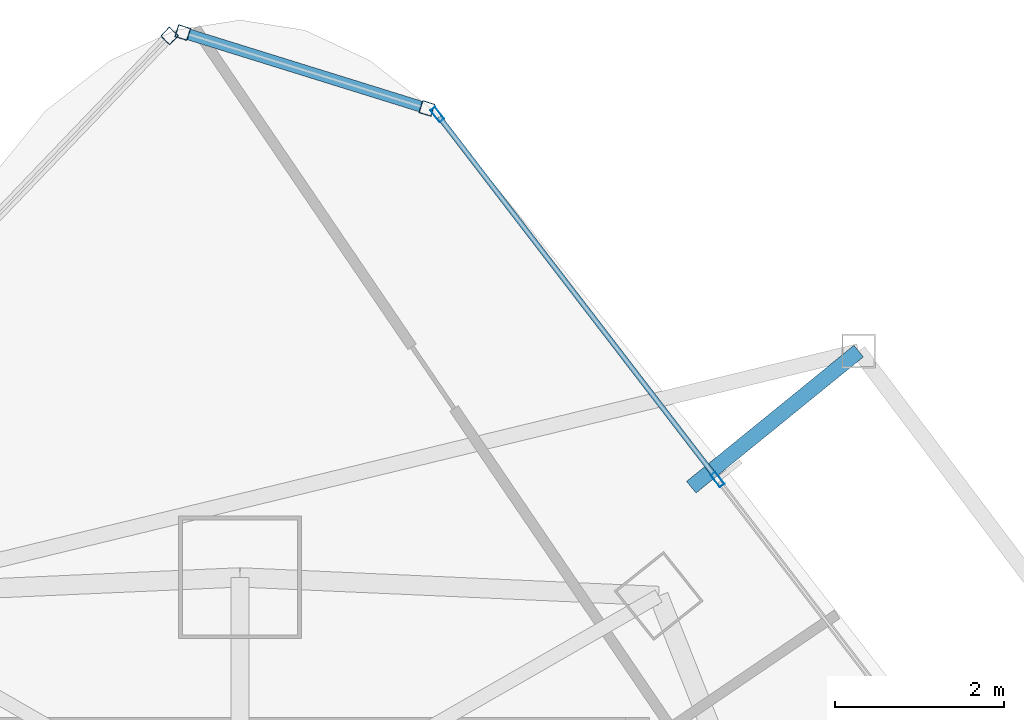
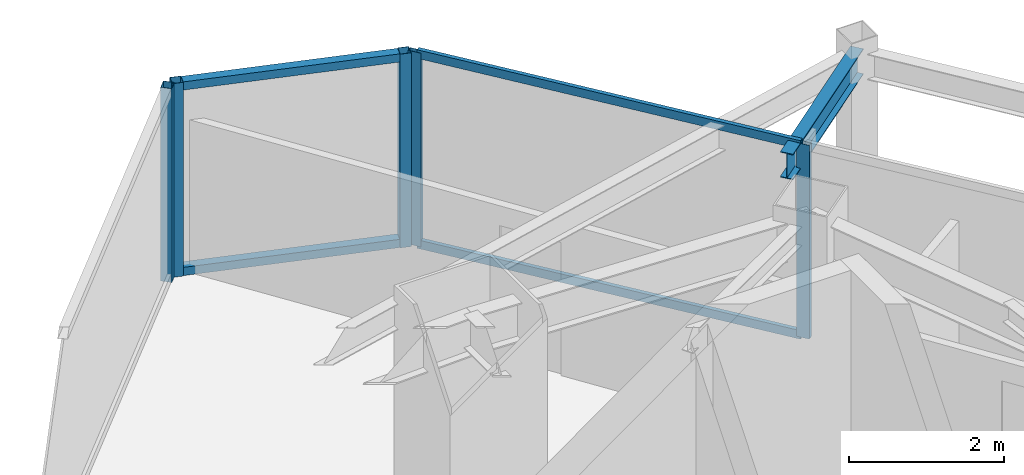
# One storey, part 21 of 29: 9 members, 1 beam, 3 elements without a shape of their own.
"""IFC4 building model written with IfcOpenShell, lengths in metres."""

import ifcopenshell
import ifcopenshell.guid

model = None  # the IFC model being written
_history = None  # IfcOwnerHistory: only IFC2X3 demands one
_inside = {}  # id of a spatial element -> (the spatial element, [elements in it])
_under = {}  # id of a project, library or spatial element -> (it, [spatial elements below it])
_declared = {}  # id of a project -> (the project, [libraries it declares])
_typed = {}  # id of a type object -> (the type object, [elements of that type])
_made_of = {}  # id of a material, layer set ... -> (it, [elements and type objects made of it])


def new_model(schema):
    """Start an empty IFC model of exactly this schema.

    Asked for "IFC4X3", IfcOpenShell would pick the latest addendum, in which some entities
    have other attributes; the version numbers below select the first issue.
    IFC2X3 requires an IfcOwnerHistory on every rooted entity: one is made here for all.
    """
    global model, _history
    if schema == "IFC4X3":
        model = ifcopenshell.file(schema_version=(4, 3, 0, 0))
    else:
        model = ifcopenshell.file(schema=schema)
    _inside.clear()
    _under.clear()
    _declared.clear()
    _typed.clear()
    _made_of.clear()
    _history = None
    if model.schema == "IFC2X3":
        org = make("IfcOrganization", Name="unknown")
        user = make(
            "IfcPersonAndOrganization",
            ThePerson=make("IfcPerson", FamilyName="unknown"),
            TheOrganization=org,
        )
        app = make(
            "IfcApplication",
            ApplicationDeveloper=org,
            Version="unknown",
            ApplicationFullName="unknown",
            ApplicationIdentifier="unknown",
        )
        _history = make(
            "IfcOwnerHistory",
            OwningUser=user,
            OwningApplication=app,
            ChangeAction="ADDED",
            CreationDate=0,
        )
    return model


def make(cls, **values):
    """One entity of the class cls with the attributes given. An attribute that is None is left unset."""
    return model.create_entity(
        cls, **{name: value for name, value in values.items() if value is not None}
    )


def rooted(cls, **values):
    """An entity with a GlobalId (a new one), such as an element, a storey or a relation."""
    return make(cls, GlobalId=ifcopenshell.guid.new(), OwnerHistory=_history, **values)


def si_unit(unit_type, name, prefix=None):
    """IfcSIUnit, for example si_unit("LENGTHUNIT", "METRE", prefix="MILLI")."""
    return make("IfcSIUnit", UnitType=unit_type, Prefix=prefix, Name=name)


def assignment(units):
    """IfcUnitAssignment: the units of a project."""
    return None if units is None else make("IfcUnitAssignment", Units=units)


def point(xyz):
    """IfcCartesianPoint."""
    return None if xyz is None else make("IfcCartesianPoint", Coordinates=xyz)


def direction(xyz):
    """IfcDirection."""
    return None if xyz is None else make("IfcDirection", DirectionRatios=xyz)


def frame(location, z_axis=None, x_axis=None):
    """IfcAxis2Placement3D, a coordinate frame: its origin and axes. An axis left out is left unset."""
    return make(
        "IfcAxis2Placement3D",
        Location=point(location),
        Axis=direction(z_axis),
        RefDirection=direction(x_axis),
    )


def frame_2d(location, x_axis=None):
    """IfcAxis2Placement2D, a coordinate frame in the plane: its origin and x axis."""
    return make(
        "IfcAxis2Placement2D", Location=point(location), RefDirection=direction(x_axis)
    )


def origin():
    """The frame at (0, 0, 0) with its axes left unset."""
    return frame((0.0, 0.0, 0.0))


def origin_2d():
    """The frame at (0, 0) in the plane with its x axis left unset."""
    return frame_2d((0.0, 0.0))


def place(relative_to, where):
    """IfcLocalPlacement: puts the frame where relative to a parent placement (None: the world)."""
    return make(
        "IfcLocalPlacement", PlacementRelTo=relative_to, RelativePlacement=where
    )


def context(
    kind, dimensions, precision=None, world=None, true_north=None, identifier=None
):
    """IfcGeometricRepresentationContext, for example the 3D "Model" context."""
    return make(
        "IfcGeometricRepresentationContext",
        ContextIdentifier=identifier,
        ContextType=kind,
        CoordinateSpaceDimension=dimensions,
        Precision=precision,
        WorldCoordinateSystem=world,
        TrueNorth=true_north,
    )


def subcontext(parent, identifier, kind, view, scale=None):
    """IfcGeometricRepresentationSubContext, for example "Body" below "Model"."""
    return make(
        "IfcGeometricRepresentationSubContext",
        ContextIdentifier=identifier,
        ContextType=kind,
        ParentContext=parent,
        TargetScale=scale,
        TargetView=view,
    )


def project(units=None, contexts=None):
    """IfcProject with its units and contexts."""
    return rooted(
        "IfcProject",
        Name="project",
        RepresentationContexts=contexts,
        UnitsInContext=assignment(units),
    )


def spatial(cls, under=None, at=None, **own):
    """A site, building, storey or space (cls), placed at a placement, below another one or the project."""
    s = rooted(cls, ObjectPlacement=at, **own)
    if under is not None:
        _under.setdefault(under.id(), (under, []))[1].append(s)
    return s


def profile(cls, at=None, kind="AREA", **sizes):
    """A parametric profile (cls). Its sizes go by their IFC names, for example OverallWidth=200.0."""
    return make(cls, ProfileType=kind, Position=at, **sizes)


def hollow_rectangle(**sizes):
    """IfcRectangleHollowProfileDef."""
    return profile("IfcRectangleHollowProfileDef", **sizes)


def i_section(**sizes):
    """IfcIShapeProfileDef."""
    return profile("IfcIShapeProfileDef", **sizes)


def extrude(swept, where, along, depth):
    """IfcExtrudedAreaSolid: the profile swept, set in the frame where, extruded along a direction by depth."""
    return make(
        "IfcExtrudedAreaSolid",
        SweptArea=swept,
        Position=where,
        ExtrudedDirection=direction(along),
        Depth=depth,
    )


def shape(context_of_items, identifier, shape_type, items):
    """IfcShapeRepresentation: the items that make up one representation, for example the "Body"."""
    return make(
        "IfcShapeRepresentation",
        ContextOfItems=context_of_items,
        RepresentationIdentifier=identifier,
        RepresentationType=shape_type,
        Items=items,
    )


def material(Name=None, Category=None):
    """IfcMaterial."""
    return make("IfcMaterial", Name=Name, Category=Category)


def layer(
    of_material, thickness, ventilated=None, Name=None, Category=None, Priority=None
):
    """IfcMaterialLayer: one layer of a wall or slab, of a material (None: an air gap)."""
    return make(
        "IfcMaterialLayer",
        Material=of_material,
        LayerThickness=thickness,
        IsVentilated=ventilated,
        Name=Name,
        Category=Category,
        Priority=Priority,
    )


def layer_set(layers, Name=None):
    """IfcMaterialLayerSet."""
    return make("IfcMaterialLayerSet", MaterialLayers=layers, LayerSetName=Name)


def material_profile(
    of_material, cross_section, Name=None, Category=None, Priority=None
):
    """IfcMaterialProfile: a cross section and its material."""
    return make(
        "IfcMaterialProfile",
        Name=Name,
        Material=of_material,
        Profile=cross_section,
        Priority=Priority,
        Category=Category,
    )


def profile_set(profiles, Name=None, composite=None):
    """IfcMaterialProfileSet."""
    return make(
        "IfcMaterialProfileSet",
        Name=Name,
        MaterialProfiles=profiles,
        CompositeProfile=composite,
    )


def made_of(thing, what):
    """Note that an element or type object is made of a material, layer set ...; save() writes the relation."""
    if what is not None:
        _made_of.setdefault(what.id(), (what, []))[1].append(thing)
    return thing


def type_object(cls, material=None, **own):
    """A type object (cls), such as IfcWallType, which elements share."""
    return made_of(rooted(cls, **own), material)


def element(
    cls,
    number,
    at=None,
    inside=None,
    cuts=None,
    type_object=None,
    material=None,
    context=None,
    identifier="Body",
    shape_type=None,
    held_by="IfcProductDefinitionShape",
    body=None,
    shapes=None,
    **own,
):
    """One element of the class cls, such as IfcWall. Its Tag is "e" and its number.

    at: its placement. inside: the storey or other place that contains it. cuts: it is an
    opening in that element (IfcRelVoidsElement). A single representation is given by context,
    identifier, shape_type and body (its items); several are given by shapes. held_by: the class
    of the entity that holds the representations. save() writes the other relations.
    """
    e = rooted(cls, Tag="e%d" % number, ObjectPlacement=at, **own)
    if body is not None:
        shapes = [shape(context, identifier, shape_type, body)]
    if shapes is not None:
        e.Representation = make(held_by, Representations=shapes)
    if inside is not None:
        _inside.setdefault(inside.id(), (inside, []))[1].append(e)
    if cuts is not None:
        rooted(
            "IfcRelVoidsElement", RelatingBuildingElement=cuts, RelatedOpeningElement=e
        )
    if type_object is not None:
        _typed.setdefault(type_object.id(), (type_object, []))[1].append(e)
    return made_of(e, material)


def aggregate(whole, parts):
    """IfcRelAggregates: a whole, such as a stair, and the parts it consists of."""
    return rooted("IfcRelAggregates", RelatingObject=whole, RelatedObjects=parts)


def save(model, path):
    """Write the relations noted so far, then the file.

    IfcRelAggregates (storeys below a building ...), IfcRelContainedInSpatialStructure (elements
    in a storey), IfcRelDefinesByType, IfcRelAssociatesMaterial and IfcRelDeclares: one each for
    every whole, place, type object, material and project.
    """
    for whole, parts in _under.values():
        aggregate(whole, parts)
    for where, things in _inside.values():
        rooted(
            "IfcRelContainedInSpatialStructure",
            RelatedElements=things,
            RelatingStructure=where,
        )
    for kind, things in _typed.values():
        rooted("IfcRelDefinesByType", RelatedObjects=things, RelatingType=kind)
    for what, things in _made_of.values():
        rooted("IfcRelAssociatesMaterial", RelatedObjects=things, RelatingMaterial=what)
    for by, libraries in _declared.values():
        rooted("IfcRelDeclares", RelatingContext=by, RelatedDefinitions=libraries)
    model.write(path)


model = new_model("IFC4")

# Units and contexts
model_context = context("Model", 3, precision=1e-05, world=origin(), true_north=direction((0.0, 1.0)))
body_context = subcontext(model_context, "Body", "Model", "MODEL_VIEW")
ifc_project = project(units=[si_unit("LENGTHUNIT", "METRE"), si_unit("AREAUNIT", "SQUARE_METRE"), si_unit("VOLUMEUNIT", "CUBIC_METRE"), si_unit("PLANEANGLEUNIT", "RADIAN"), si_unit("MASSUNIT", "GRAM", prefix="KILO")], contexts=[model_context])

# Site, building, storey
site_placement = place(None, origin())
site = spatial("IfcSite", under=ifc_project, at=site_placement, CompositionType="ELEMENT")
building_placement = place(site_placement, origin())
building = spatial("IfcBuilding", under=site, at=building_placement, Name="Orvanel Arch Residences", CompositionType="ELEMENT")
storey_placement = place(building_placement, frame((0.0, 0.0, 160.550048828125)))
storey = spatial("IfcBuildingStorey", under=building, at=storey_placement, Name="L45", CompositionType="ELEMENT", Elevation=160.550048828125)

# Curtain wall, members
ifc_material_1 = material(Name="Bronze-anodised aluminium AA6063-T6", Category="aluminium")
ifc_layer_1 = layer(ifc_material_1, 0.18994140625)
ifc_layer_set_1 = layer_set([ifc_layer_1], Name="Bronze-anodised aluminium AA6063-T6")
curtain_wall_type_1 = type_object("IfcCurtainWallType", Name="CW5-CRN-SYS", PredefinedType="NOTDEFINED", material=ifc_layer_set_1)
curtain_wall_1_placement = place(storey_placement, origin())
curtain_wall_1 = element("IfcCurtainWall", 1, at=curtain_wall_1_placement, inside=storey, type_object=curtain_wall_type_1, Name="L45 CW5-CRN-SYS Unitised Curtain Wall", PredefinedType="NOTDEFINED")
ifc_material_profile_1 = material_profile(ifc_material_1, hollow_rectangle(XDim=0.14990234375, YDim=0.14990234375, WallThickness=0.0048828125, at=origin_2d()), Name="ALU150x150x5")
ifc_profile_set_1 = profile_set([ifc_material_profile_1], Name="Bronze-anodised aluminium AA6063-T6")
member_type_1 = type_object("IfcMemberType", Name="MUL-150x150", PredefinedType="MULLION", material=ifc_profile_set_1)
member_1_placement = place(storey_placement, frame((35.20947265625, 46.9423828125, 0.0), z_axis=(0.0, 0.0, 1.0), x_axis=(-0.296964354122, -0.954888565426, 0.0)))
member_1 = element("IfcMember", 2, at=member_1_placement, type_object=member_type_1, Name="CW-S5 mullion 1", PredefinedType="MULLION", context=body_context, shape_type="SweptSolid", body=[
    extrude(hollow_rectangle(XDim=0.14990234375, YDim=0.14990234375, WallThickness=0.0048828125, at=origin_2d()), origin(), (0.0, 0.0, 1.0), 3.06005859375),
])
member_2_placement = place(storey_placement, frame((32.32373046875, 47.83984375, 0.0), z_axis=(0.0, 0.0, 1.0), x_axis=(-0.296964354122, -0.954888565426, 0.0)))
member_2 = element("IfcMember", 3, at=member_2_placement, type_object=member_type_1, Name="CW-S5 mullion 2", PredefinedType="MULLION", context=body_context, shape_type="SweptSolid", body=[
    extrude(hollow_rectangle(XDim=0.14990234375, YDim=0.14990234375, WallThickness=0.0048828125, at=origin_2d()), origin(), (0.0, 0.0, 1.0), 3.06005859375),
])

# Curtain wall, member
curtain_wall_2_placement = place(storey_placement, origin())
curtain_wall_2 = element("IfcCurtainWall", 4, at=curtain_wall_2_placement, inside=storey, type_object=curtain_wall_type_1, Name="L45 CW5-CRN-SYS Unitised Curtain Wall", PredefinedType="NOTDEFINED")
member_3_placement = place(storey_placement, frame((32.167236328125, 47.7998046875, 0.0), z_axis=(0.0, 0.0, 1.0), x_axis=(0.72235820669, -0.69151906787, 0.0)))
member_3 = element("IfcMember", 5, at=member_3_placement, type_object=member_type_1, Name="CW-S5 mullion 1", PredefinedType="MULLION", context=body_context, shape_type="SweptSolid", body=[
    extrude(hollow_rectangle(XDim=0.14990234375, YDim=0.14990234375, WallThickness=0.0048828125, at=origin_2d()), origin(), (0.0, 0.0, 1.0), 3.06005859375),
])
aggregate(curtain_wall_2, [member_3])

# Curtain wall, members
ifc_layer_2 = layer(ifc_material_1, 0.179931640625)
ifc_layer_set_2 = layer_set([ifc_layer_2], Name="Bronze-anodised aluminium AA6063-T6")
curtain_wall_type_2 = type_object("IfcCurtainWallType", Name="CW3-MID-SYS", PredefinedType="NOTDEFINED", material=ifc_layer_set_2)
curtain_wall_3_placement = place(storey_placement, origin())
curtain_wall_3 = element("IfcCurtainWall", 6, at=curtain_wall_3_placement, inside=storey, type_object=curtain_wall_type_2, Name="L45 CW3-MID-SYS Unitised Curtain Wall", PredefinedType="NOTDEFINED")
ifc_material_profile_2 = material_profile(ifc_material_1, hollow_rectangle(XDim=0.070068359375, YDim=0.179931640625, WallThickness=0.00439453125, at=origin_2d()), Name="ALU180x70x4.5")
ifc_profile_set_2 = profile_set([ifc_material_profile_2], Name="Bronze-anodised aluminium AA6063-T6")
member_type_2 = type_object("IfcMemberType", Name="MUL-180x70", PredefinedType="MULLION", material=ifc_profile_set_2)
member_4_placement = place(storey_placement, frame((38.646728515625, 42.555908203125, 0.0), z_axis=(0.0, 0.0, 1.0), x_axis=(-0.793094540336, -0.609098555317, 0.0)))
member_4 = element("IfcMember", 7, at=member_4_placement, type_object=member_type_2, Name="CW-S3 mullion 3", PredefinedType="MULLION", context=body_context, shape_type="SweptSolid", body=[
    extrude(hollow_rectangle(XDim=0.070068359375, YDim=0.179931640625, WallThickness=0.00439453125, at=origin_2d()), origin(), (0.0, 0.0, 1.0), 3.06005859375),
])
member_5_placement = place(storey_placement, frame((35.333251953125, 46.870361328125, 0.0), z_axis=(0.0, 0.0, 1.0), x_axis=(-0.793094540336, -0.609098555317, 0.0)))
member_5 = element("IfcMember", 8, at=member_5_placement, type_object=member_type_2, Name="CW-S3 mullion 4", PredefinedType="MULLION", context=body_context, shape_type="SweptSolid", body=[
    extrude(hollow_rectangle(XDim=0.070068359375, YDim=0.179931640625, WallThickness=0.00439453125, at=origin_2d()), origin(), (0.0, 0.0, 1.0), 3.06005859375),
])

# Beam
ifc_material_2 = material(Name="Structural steel AS/NZS 3679.1 Grade 300 (300 MPa)", Category="steel")
ifc_material_profile_3 = material_profile(ifc_material_2, i_section(OverallWidth=0.177978515625, OverallDepth=0.406005859375, WebThickness=0.0078125, FlangeThickness=0.0126953125, at=origin_2d()), Name="410UB59.7")
ifc_profile_set_3 = profile_set([ifc_material_profile_3], Name="Structural steel AS/NZS 3679.1 Grade 300 (300 MPa)")
beam_type = type_object("IfcBeamType", Name="OB-410UB-EXT", PredefinedType="SPANDREL", material=ifc_profile_set_3)
beam_placement = place(storey_placement, frame((38.3359375, 42.464111328125, 2.85693359375), z_axis=(0.775932431682, 0.630816028224, 0.0), x_axis=(-0.630816028224, 0.775932431682, 0.0)))
element("IfcBeam", 9, at=beam_placement, inside=storey, type_object=beam_type, Name="L45 Outer Frame Radial Tie Beam 12", PredefinedType="SPANDREL", context=body_context, shape_type="SweptSolid", body=[
    extrude(i_section(OverallWidth=0.177978515625, OverallDepth=0.406005859375, WebThickness=0.0078125, FlangeThickness=0.0126953125, at=origin_2d()), origin(), (0.0, 0.0, 1.0), 2.550537109375),
])

# Member
ifc_material_profile_4 = material_profile(ifc_material_1, hollow_rectangle(XDim=0.1298828125, YDim=0.1298828125, WallThickness=0.00439453125, at=origin_2d()), Name="ALU130x130x4.5")
ifc_profile_set_4 = profile_set([ifc_material_profile_4], Name="Bronze-anodised aluminium AA6063-T6")
member_type_3 = type_object("IfcMemberType", Name="TRN-130x130", PredefinedType="USERDEFINED", material=ifc_profile_set_4)
member_6_placement = place(storey_placement, frame((35.1376953125, 46.964599609375, 0.06494140625), z_axis=(-0.954898027331, 0.296933927666, 0.0), x_axis=(-0.296933927666, -0.954898027331, 0.0)))
member_6 = element("IfcMember", 10, at=member_6_placement, type_object=member_type_3, Name="CW-S5 transom 1.1", ObjectType="TRANSOM", PredefinedType="USERDEFINED", context=body_context, shape_type="SweptSolid", body=[
    extrude(hollow_rectangle(XDim=0.1298828125, YDim=0.1298828125, WallThickness=0.00439453125, at=origin_2d()), origin(), (0.0, 0.0, 1.0), 2.8720703125),
])

member_7_placement = place(storey_placement, frame((35.1376953125, 46.964599609375, 2.994873046875), z_axis=(-0.954898027331, 0.296933927666, 0.0), x_axis=(-0.296933927666, -0.954898027331, 0.0)))
member_7 = element("IfcMember", 11, at=member_7_placement, type_object=member_type_3, Name="CW-S5 transom 1.2", ObjectType="TRANSOM", PredefinedType="USERDEFINED", context=body_context, shape_type="SweptSolid", body=[
    extrude(hollow_rectangle(XDim=0.1298828125, YDim=0.1298828125, WallThickness=0.00439453125, at=origin_2d()), origin(), (0.0, 0.0, 1.0), 2.8720703125),
])

aggregate(curtain_wall_1, [member_1, member_2, member_6, member_7])

ifc_material_profile_5 = material_profile(ifc_material_1, hollow_rectangle(XDim=0.06005859375, YDim=0.135009765625, WallThickness=0.00390625, at=origin_2d()), Name="ALU135x60x4")
ifc_profile_set_5 = profile_set([ifc_material_profile_5], Name="Bronze-anodised aluminium AA6063-T6")
member_type_4 = type_object("IfcMemberType", Name="TRN-135x60", PredefinedType="USERDEFINED", material=ifc_profile_set_5)
member_8_placement = place(storey_placement, frame((38.625244140625, 42.583740234375, 0.030029296875), z_axis=(-0.609068959774, 0.793117268908, 0.0), x_axis=(-0.793117268908, -0.609068959774, 0.0)))
member_8 = element("IfcMember", 12, at=member_8_placement, type_object=member_type_4, Name="CW-S3 transom 3.1", ObjectType="TRANSOM", PredefinedType="USERDEFINED", context=body_context, shape_type="SweptSolid", body=[
    extrude(hollow_rectangle(XDim=0.06005859375, YDim=0.135009765625, WallThickness=0.00390625, at=origin_2d()), origin(), (0.0, 0.0, 1.0), 5.36962890625),
])

member_9_placement = place(storey_placement, frame((38.625244140625, 42.583740234375, 3.030029296875), z_axis=(-0.609068959774, 0.793117268908, 0.0), x_axis=(-0.793117268908, -0.609068959774, 0.0)))
member_9 = element("IfcMember", 13, at=member_9_placement, type_object=member_type_4, Name="CW-S3 transom 3.2", ObjectType="TRANSOM", PredefinedType="USERDEFINED", context=body_context, shape_type="SweptSolid", body=[
    extrude(hollow_rectangle(XDim=0.06005859375, YDim=0.135009765625, WallThickness=0.00390625, at=origin_2d()), origin(), (0.0, 0.0, 1.0), 5.36962890625),
])

aggregate(curtain_wall_3, [member_4, member_5, member_8, member_9])

save(model, "model.ifc")
